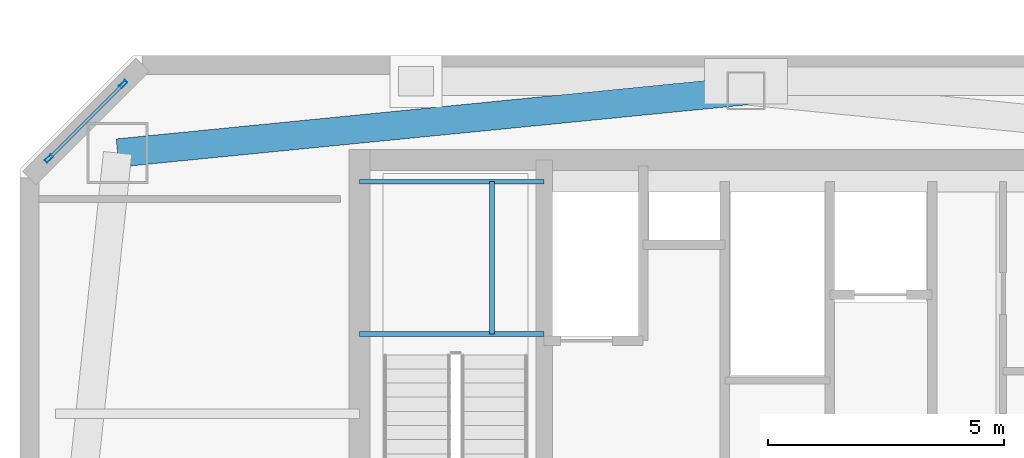
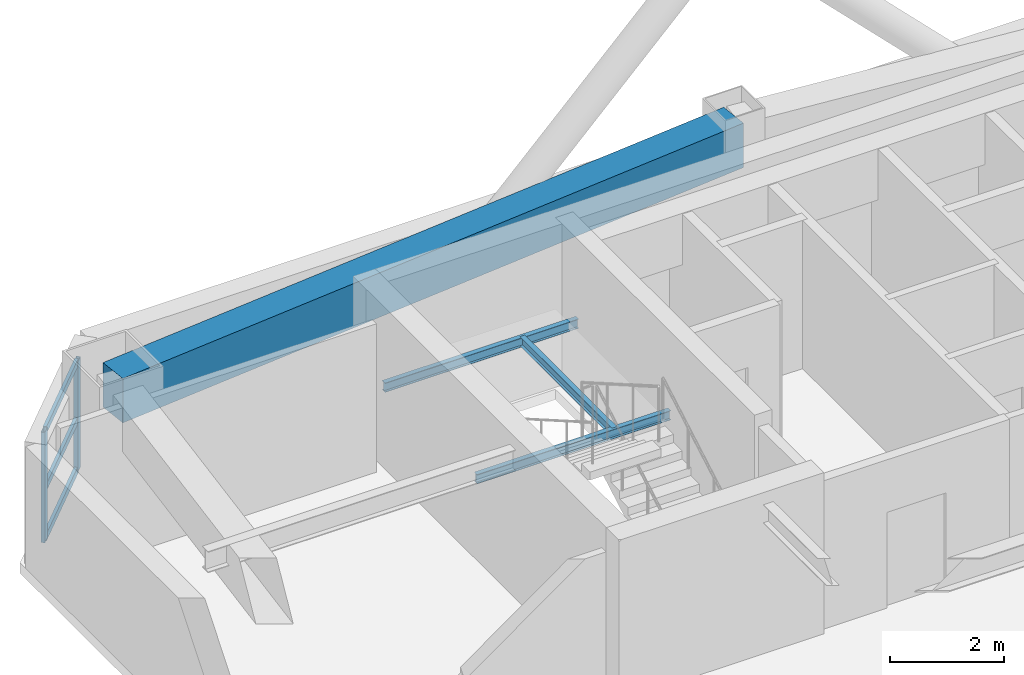
# One storey, part 6 of 20: 5 members, 4 beams, 1 element without a shape of its own.
"""IFC4 building model written with IfcOpenShell, lengths in metres."""

import ifcopenshell
import ifcopenshell.guid

model = None  # the IFC model being written
_history = None  # IfcOwnerHistory: only IFC2X3 demands one
_inside = {}  # id of a spatial element -> (the spatial element, [elements in it])
_under = {}  # id of a project, library or spatial element -> (it, [spatial elements below it])
_declared = {}  # id of a project -> (the project, [libraries it declares])
_typed = {}  # id of a type object -> (the type object, [elements of that type])
_made_of = {}  # id of a material, layer set ... -> (it, [elements and type objects made of it])


def new_model(schema):
    """Start an empty IFC model of exactly this schema.

    Asked for "IFC4X3", IfcOpenShell would pick the latest addendum, in which some entities
    have other attributes; the version numbers below select the first issue.
    IFC2X3 requires an IfcOwnerHistory on every rooted entity: one is made here for all.
    """
    global model, _history
    if schema == "IFC4X3":
        model = ifcopenshell.file(schema_version=(4, 3, 0, 0))
    else:
        model = ifcopenshell.file(schema=schema)
    _inside.clear()
    _under.clear()
    _declared.clear()
    _typed.clear()
    _made_of.clear()
    _history = None
    if model.schema == "IFC2X3":
        org = make("IfcOrganization", Name="unknown")
        user = make(
            "IfcPersonAndOrganization",
            ThePerson=make("IfcPerson", FamilyName="unknown"),
            TheOrganization=org,
        )
        app = make(
            "IfcApplication",
            ApplicationDeveloper=org,
            Version="unknown",
            ApplicationFullName="unknown",
            ApplicationIdentifier="unknown",
        )
        _history = make(
            "IfcOwnerHistory",
            OwningUser=user,
            OwningApplication=app,
            ChangeAction="ADDED",
            CreationDate=0,
        )
    return model


def make(cls, **values):
    """One entity of the class cls with the attributes given. An attribute that is None is left unset."""
    return model.create_entity(
        cls, **{name: value for name, value in values.items() if value is not None}
    )


def rooted(cls, **values):
    """An entity with a GlobalId (a new one), such as an element, a storey or a relation."""
    return make(cls, GlobalId=ifcopenshell.guid.new(), OwnerHistory=_history, **values)


def si_unit(unit_type, name, prefix=None):
    """IfcSIUnit, for example si_unit("LENGTHUNIT", "METRE", prefix="MILLI")."""
    return make("IfcSIUnit", UnitType=unit_type, Prefix=prefix, Name=name)


def assignment(units):
    """IfcUnitAssignment: the units of a project."""
    return None if units is None else make("IfcUnitAssignment", Units=units)


def point(xyz):
    """IfcCartesianPoint."""
    return None if xyz is None else make("IfcCartesianPoint", Coordinates=xyz)


def direction(xyz):
    """IfcDirection."""
    return None if xyz is None else make("IfcDirection", DirectionRatios=xyz)


def frame(location, z_axis=None, x_axis=None):
    """IfcAxis2Placement3D, a coordinate frame: its origin and axes. An axis left out is left unset."""
    return make(
        "IfcAxis2Placement3D",
        Location=point(location),
        Axis=direction(z_axis),
        RefDirection=direction(x_axis),
    )


def frame_2d(location, x_axis=None):
    """IfcAxis2Placement2D, a coordinate frame in the plane: its origin and x axis."""
    return make(
        "IfcAxis2Placement2D", Location=point(location), RefDirection=direction(x_axis)
    )


def origin():
    """The frame at (0, 0, 0) with its axes left unset."""
    return frame((0.0, 0.0, 0.0))


def origin_2d():
    """The frame at (0, 0) in the plane with its x axis left unset."""
    return frame_2d((0.0, 0.0))


def place(relative_to, where):
    """IfcLocalPlacement: puts the frame where relative to a parent placement (None: the world)."""
    return make(
        "IfcLocalPlacement", PlacementRelTo=relative_to, RelativePlacement=where
    )


def context(
    kind, dimensions, precision=None, world=None, true_north=None, identifier=None
):
    """IfcGeometricRepresentationContext, for example the 3D "Model" context."""
    return make(
        "IfcGeometricRepresentationContext",
        ContextIdentifier=identifier,
        ContextType=kind,
        CoordinateSpaceDimension=dimensions,
        Precision=precision,
        WorldCoordinateSystem=world,
        TrueNorth=true_north,
    )


def subcontext(parent, identifier, kind, view, scale=None):
    """IfcGeometricRepresentationSubContext, for example "Body" below "Model"."""
    return make(
        "IfcGeometricRepresentationSubContext",
        ContextIdentifier=identifier,
        ContextType=kind,
        ParentContext=parent,
        TargetScale=scale,
        TargetView=view,
    )


def project(units=None, contexts=None):
    """IfcProject with its units and contexts."""
    return rooted(
        "IfcProject",
        Name="project",
        RepresentationContexts=contexts,
        UnitsInContext=assignment(units),
    )


def spatial(cls, under=None, at=None, **own):
    """A site, building, storey or space (cls), placed at a placement, below another one or the project."""
    s = rooted(cls, ObjectPlacement=at, **own)
    if under is not None:
        _under.setdefault(under.id(), (under, []))[1].append(s)
    return s


def profile(cls, at=None, kind="AREA", **sizes):
    """A parametric profile (cls). Its sizes go by their IFC names, for example OverallWidth=200.0."""
    return make(cls, ProfileType=kind, Position=at, **sizes)


def rectangle(**sizes):
    """IfcRectangleProfileDef."""
    return profile("IfcRectangleProfileDef", **sizes)


def hollow_rectangle(**sizes):
    """IfcRectangleHollowProfileDef."""
    return profile("IfcRectangleHollowProfileDef", **sizes)


def i_section(**sizes):
    """IfcIShapeProfileDef."""
    return profile("IfcIShapeProfileDef", **sizes)


def extrude(swept, where, along, depth):
    """IfcExtrudedAreaSolid: the profile swept, set in the frame where, extruded along a direction by depth."""
    return make(
        "IfcExtrudedAreaSolid",
        SweptArea=swept,
        Position=where,
        ExtrudedDirection=direction(along),
        Depth=depth,
    )


def shape(context_of_items, identifier, shape_type, items):
    """IfcShapeRepresentation: the items that make up one representation, for example the "Body"."""
    return make(
        "IfcShapeRepresentation",
        ContextOfItems=context_of_items,
        RepresentationIdentifier=identifier,
        RepresentationType=shape_type,
        Items=items,
    )


def material(Name=None, Category=None):
    """IfcMaterial."""
    return make("IfcMaterial", Name=Name, Category=Category)


def layer(
    of_material, thickness, ventilated=None, Name=None, Category=None, Priority=None
):
    """IfcMaterialLayer: one layer of a wall or slab, of a material (None: an air gap)."""
    return make(
        "IfcMaterialLayer",
        Material=of_material,
        LayerThickness=thickness,
        IsVentilated=ventilated,
        Name=Name,
        Category=Category,
        Priority=Priority,
    )


def layer_set(layers, Name=None):
    """IfcMaterialLayerSet."""
    return make("IfcMaterialLayerSet", MaterialLayers=layers, LayerSetName=Name)


def material_profile(
    of_material, cross_section, Name=None, Category=None, Priority=None
):
    """IfcMaterialProfile: a cross section and its material."""
    return make(
        "IfcMaterialProfile",
        Name=Name,
        Material=of_material,
        Profile=cross_section,
        Priority=Priority,
        Category=Category,
    )


def profile_set(profiles, Name=None, composite=None):
    """IfcMaterialProfileSet."""
    return make(
        "IfcMaterialProfileSet",
        Name=Name,
        MaterialProfiles=profiles,
        CompositeProfile=composite,
    )


def made_of(thing, what):
    """Note that an element or type object is made of a material, layer set ...; save() writes the relation."""
    if what is not None:
        _made_of.setdefault(what.id(), (what, []))[1].append(thing)
    return thing


def type_object(cls, material=None, **own):
    """A type object (cls), such as IfcWallType, which elements share."""
    return made_of(rooted(cls, **own), material)


def element(
    cls,
    number,
    at=None,
    inside=None,
    cuts=None,
    type_object=None,
    material=None,
    context=None,
    identifier="Body",
    shape_type=None,
    held_by="IfcProductDefinitionShape",
    body=None,
    shapes=None,
    **own,
):
    """One element of the class cls, such as IfcWall. Its Tag is "e" and its number.

    at: its placement. inside: the storey or other place that contains it. cuts: it is an
    opening in that element (IfcRelVoidsElement). A single representation is given by context,
    identifier, shape_type and body (its items); several are given by shapes. held_by: the class
    of the entity that holds the representations. save() writes the other relations.
    """
    e = rooted(cls, Tag="e%d" % number, ObjectPlacement=at, **own)
    if body is not None:
        shapes = [shape(context, identifier, shape_type, body)]
    if shapes is not None:
        e.Representation = make(held_by, Representations=shapes)
    if inside is not None:
        _inside.setdefault(inside.id(), (inside, []))[1].append(e)
    if cuts is not None:
        rooted(
            "IfcRelVoidsElement", RelatingBuildingElement=cuts, RelatedOpeningElement=e
        )
    if type_object is not None:
        _typed.setdefault(type_object.id(), (type_object, []))[1].append(e)
    return made_of(e, material)


def aggregate(whole, parts):
    """IfcRelAggregates: a whole, such as a stair, and the parts it consists of."""
    return rooted("IfcRelAggregates", RelatingObject=whole, RelatedObjects=parts)


def save(model, path):
    """Write the relations noted so far, then the file.

    IfcRelAggregates (storeys below a building ...), IfcRelContainedInSpatialStructure (elements
    in a storey), IfcRelDefinesByType, IfcRelAssociatesMaterial and IfcRelDeclares: one each for
    every whole, place, type object, material and project.
    """
    for whole, parts in _under.values():
        aggregate(whole, parts)
    for where, things in _inside.values():
        rooted(
            "IfcRelContainedInSpatialStructure",
            RelatedElements=things,
            RelatingStructure=where,
        )
    for kind, things in _typed.values():
        rooted("IfcRelDefinesByType", RelatedObjects=things, RelatingType=kind)
    for what, things in _made_of.values():
        rooted("IfcRelAssociatesMaterial", RelatedObjects=things, RelatingMaterial=what)
    for by, libraries in _declared.values():
        rooted("IfcRelDeclares", RelatingContext=by, RelatedDefinitions=libraries)
    model.write(path)


model = new_model("IFC4")

# Units and contexts
model_context = context("Model", 3, precision=1e-05, world=origin(), true_north=direction((0.0, 1.0)))
body_context = subcontext(model_context, "Body", "Model", "MODEL_VIEW")
ifc_project = project(units=[si_unit("LENGTHUNIT", "METRE"), si_unit("AREAUNIT", "SQUARE_METRE"), si_unit("VOLUMEUNIT", "CUBIC_METRE"), si_unit("PLANEANGLEUNIT", "RADIAN"), si_unit("MASSUNIT", "GRAM", prefix="KILO")], contexts=[model_context])

# Site, building, storey
site_placement = place(None, origin())
site = spatial("IfcSite", under=ifc_project, at=site_placement, CompositionType="ELEMENT")
building_placement = place(site_placement, origin())
building = spatial("IfcBuilding", under=site, at=building_placement, Name="Qiaolan Cultural Towers", CompositionType="ELEMENT")
storey_placement = place(building_placement, frame((0.0, 0.0, 223.10009765625)))
storey = spatial("IfcBuildingStorey", under=building, at=storey_placement, Name="L60", CompositionType="ELEMENT", Elevation=223.10009765625)

# Beams
ifc_material_1 = material(Name="Concrete C50", Category="concrete")
ifc_material_profile_1 = material_profile(ifc_material_1, rectangle(XDim=0.60009765625, YDim=0.949951171875, at=origin_2d()), Name="RC600x950")
ifc_profile_set_1 = profile_set([ifc_material_profile_1], Name="Concrete C50")
beam_type_1 = type_object("IfcBeamType", Name="BM-SPD-RC600x950", PredefinedType="SPANDREL", material=ifc_profile_set_1)
beam_1_placement = place(storey_placement, frame((30.0, 56.75, 2.71484375), z_axis=(-0.995132371263, -0.098547266143, 0.0), x_axis=(0.098547266143, -0.995132371263, 0.0)))
element("IfcBeam", 1, at=beam_1_placement, inside=storey, type_object=beam_type_1, Name="L60 T1 Perimeter Spandrel Beam 8", PredefinedType="SPANDREL", context=body_context, shape_type="SweptSolid", body=[
    extrude(rectangle(XDim=0.60009765625, YDim=0.949951171875, at=origin_2d()), origin(), (0.0, 0.0, 1.0), 13.395263671875),
])
ifc_material_2 = material(Name="Steel Q355B", Category="steel")
ifc_material_profile_2 = material_profile(ifc_material_2, i_section(OverallWidth=0.10009765625, OverallDepth=0.199951171875, WebThickness=0.005615234375, FlangeThickness=0.008056640625, at=origin_2d()), Name="HN200x100x5.5x8")
ifc_profile_set_2 = profile_set([ifc_material_profile_2], Name="Steel Q355B")
beam_type_2 = type_object("IfcBeamType", Name="BM-STTRIM-200", PredefinedType="BEAM", material=ifc_profile_set_2)
for number, where, z_axis, x_axis, name in (
    (2, (21.800048828125, 51.588623046875, 1.4248046875), (1.0, 0.0, 0.0), (0.0, 1.0, 0.0), "L60 ST-W2 Stair Landing Support Beam 1-1"),
    (3, (21.800048828125, 54.820068359375, 1.4248046875), (1.0, 0.0, 0.0), (0.0, 1.0, 0.0), "L60 ST-W2 Stair Landing Support Beam 1-2"),
):
    element("IfcBeam", number, at=place(storey_placement, frame(where, z_axis=z_axis, x_axis=x_axis)), inside=storey, type_object=beam_type_2, Name=name, PredefinedType="BEAM", context=body_context, shape_type="SweptSolid", body=[
        extrude(i_section(OverallWidth=0.10009765625, OverallDepth=0.199951171875, WebThickness=0.005615234375, FlangeThickness=0.008056640625, at=origin_2d()), origin(), (0.0, 0.0, 1.0), 3.919921875),
    ])
beam_2_placement = place(storey_placement, frame((24.610107421875, 51.588623046875, 1.4248046875), z_axis=(0.0, 1.0, 0.0), x_axis=(-1.0, 0.0, 0.0)))
element("IfcBeam", 4, at=beam_2_placement, inside=storey, type_object=beam_type_2, Name="L60 ST-W2 Stair Landing Trimmer 1", PredefinedType="BEAM", context=body_context, shape_type="SweptSolid", body=[
    extrude(i_section(OverallWidth=0.10009765625, OverallDepth=0.199951171875, WebThickness=0.005615234375, FlangeThickness=0.008056640625, at=origin_2d()), origin(), (0.0, 0.0, 1.0), 3.2314453125),
])

# Curtain wall, members
ifc_material_3 = material(Name="Unitized Anodized Aluminium Curtain Wall System", Category="aluminium")
ifc_layer = layer(ifc_material_3, 0.199951171875)
ifc_layer_set = layer_set([ifc_layer], Name="Unitized Anodized Aluminium Curtain Wall System")
curtain_wall_type = type_object("IfcCurtainWallType", Name="CWS-05", PredefinedType="NOTDEFINED", material=ifc_layer_set)
curtain_wall_placement = place(storey_placement, origin())
curtain_wall = element("IfcCurtainWall", 5, at=curtain_wall_placement, inside=storey, type_object=curtain_wall_type, Name="L60 T1 Chamfer Wind-Corner Feature Curtain Wall 1", PredefinedType="NOTDEFINED")
ifc_material_4 = material(Name="Extruded Aluminium 6063-T6", Category="aluminium")
ifc_material_profile_3 = material_profile(ifc_material_4, hollow_rectangle(XDim=0.074951171875, YDim=0.179931640625, WallThickness=0.00390625, at=origin_2d()), Name="CWM-180x75x4")
ifc_profile_set_3 = profile_set([ifc_material_profile_3], Name="Extruded Aluminium 6063-T6")
member_type_1 = type_object("IfcMemberType", Name="CWS-05-MUL", PredefinedType="MULLION", material=ifc_profile_set_3)
member_1_placement = place(storey_placement, frame((15.21044921875, 55.310546875, 0.14990234375), z_axis=(0.0, 0.0, 1.0), x_axis=(-0.707106781187, 0.707106781187, 0.0)))
member_1 = element("IfcMember", 6, at=member_1_placement, type_object=member_type_1, Name="CW-5 mullion 1", PredefinedType="MULLION", context=body_context, shape_type="SweptSolid", body=[
    extrude(hollow_rectangle(XDim=0.074951171875, YDim=0.179931640625, WallThickness=0.00390625, at=origin_2d()), origin(), (0.0, 0.0, 1.0), 2.360107421875),
])
member_2_placement = place(storey_placement, frame((16.78955078125, 56.889404296875, 0.14990234375), z_axis=(0.0, 0.0, 1.0), x_axis=(-0.707106781187, 0.707106781187, 0.0)))
member_2 = element("IfcMember", 7, at=member_2_placement, type_object=member_type_1, Name="CW-5 mullion 2", PredefinedType="MULLION", context=body_context, shape_type="SweptSolid", body=[
    extrude(hollow_rectangle(XDim=0.074951171875, YDim=0.179931640625, WallThickness=0.00390625, at=origin_2d()), origin(), (0.0, 0.0, 1.0), 2.360107421875),
])
ifc_material_5 = material(Name="Extruded Aluminium 6063-T6", Category="aluminium")
ifc_material_profile_4 = material_profile(ifc_material_5, hollow_rectangle(XDim=0.06494140625, YDim=0.14990234375, WallThickness=0.00390625, at=origin_2d()), Name="CWT-150x65x4")
ifc_profile_set_4 = profile_set([ifc_material_profile_4], Name="Extruded Aluminium 6063-T6")
member_type_2 = type_object("IfcMemberType", Name="CWS-05-TRN", PredefinedType="USERDEFINED", material=ifc_profile_set_4)
member_3_placement = place(storey_placement, frame((15.237060546875, 55.3369140625, 0.182373046875), z_axis=(0.707050214907, 0.707163342941, 0.0), x_axis=(-0.707163342941, 0.707050214907, 0.0)))
member_3 = element("IfcMember", 8, at=member_3_placement, type_object=member_type_2, Name="CW-5 transom 1.1", ObjectType="TRANSOM", PredefinedType="USERDEFINED", context=body_context, shape_type="SweptSolid", body=[
    extrude(hollow_rectangle(XDim=0.06494140625, YDim=0.14990234375, WallThickness=0.00390625, at=origin_2d()), origin(), (0.0, 0.0, 1.0), 2.158203125),
])
member_4_placement = place(storey_placement, frame((15.237060546875, 55.3369140625, 1.25), z_axis=(0.707050214907, 0.707163342941, 0.0), x_axis=(-0.707163342941, 0.707050214907, 0.0)))
member_4 = element("IfcMember", 9, at=member_4_placement, type_object=member_type_2, Name="CW-5 transom 1.2", ObjectType="TRANSOM", PredefinedType="USERDEFINED", context=body_context, shape_type="SweptSolid", body=[
    extrude(hollow_rectangle(XDim=0.06494140625, YDim=0.14990234375, WallThickness=0.00390625, at=origin_2d()), origin(), (0.0, 0.0, 1.0), 2.158203125),
])
member_5_placement = place(storey_placement, frame((15.237060546875, 55.3369140625, 2.477294921875), z_axis=(0.707050214907, 0.707163342941, 0.0), x_axis=(-0.707163342941, 0.707050214907, 0.0)))
member_5 = element("IfcMember", 10, at=member_5_placement, type_object=member_type_2, Name="CW-5 transom 1.3", ObjectType="TRANSOM", PredefinedType="USERDEFINED", context=body_context, shape_type="SweptSolid", body=[
    extrude(hollow_rectangle(XDim=0.06494140625, YDim=0.14990234375, WallThickness=0.00390625, at=origin_2d()), origin(), (0.0, 0.0, 1.0), 2.158203125),
])
aggregate(curtain_wall, [member_1, member_2, member_3, member_4, member_5])

save(model, "model.ifc")
